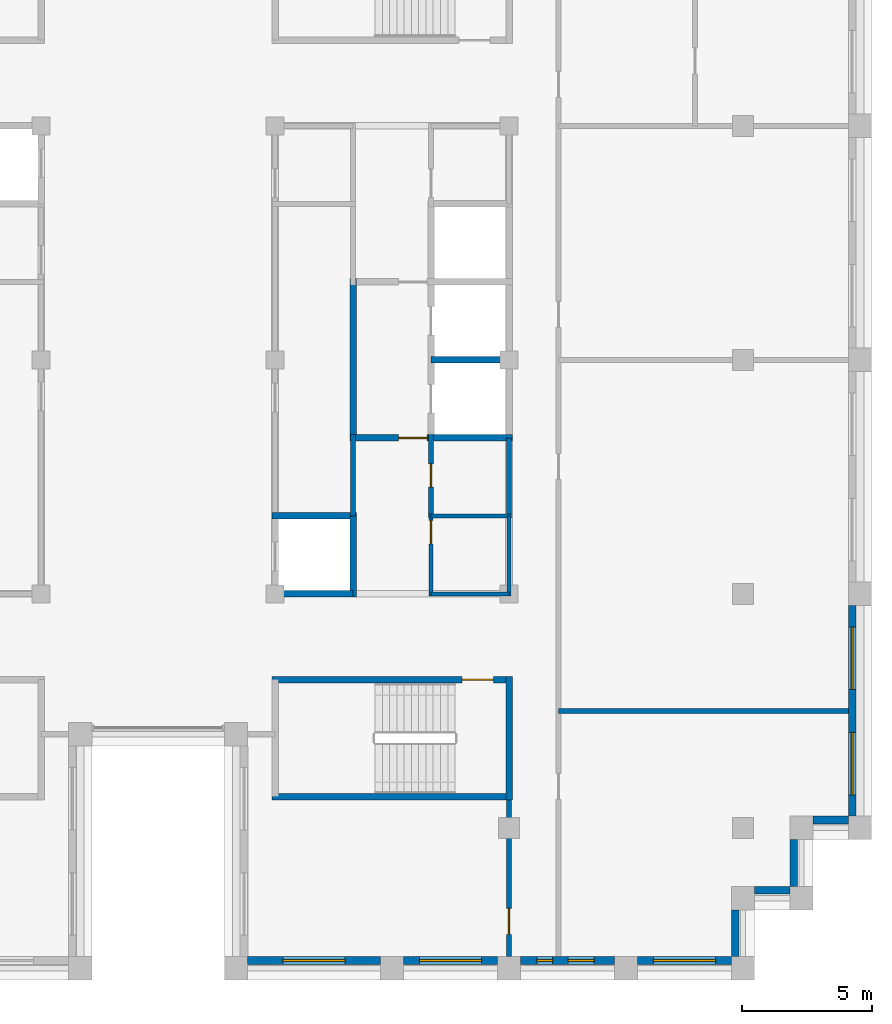
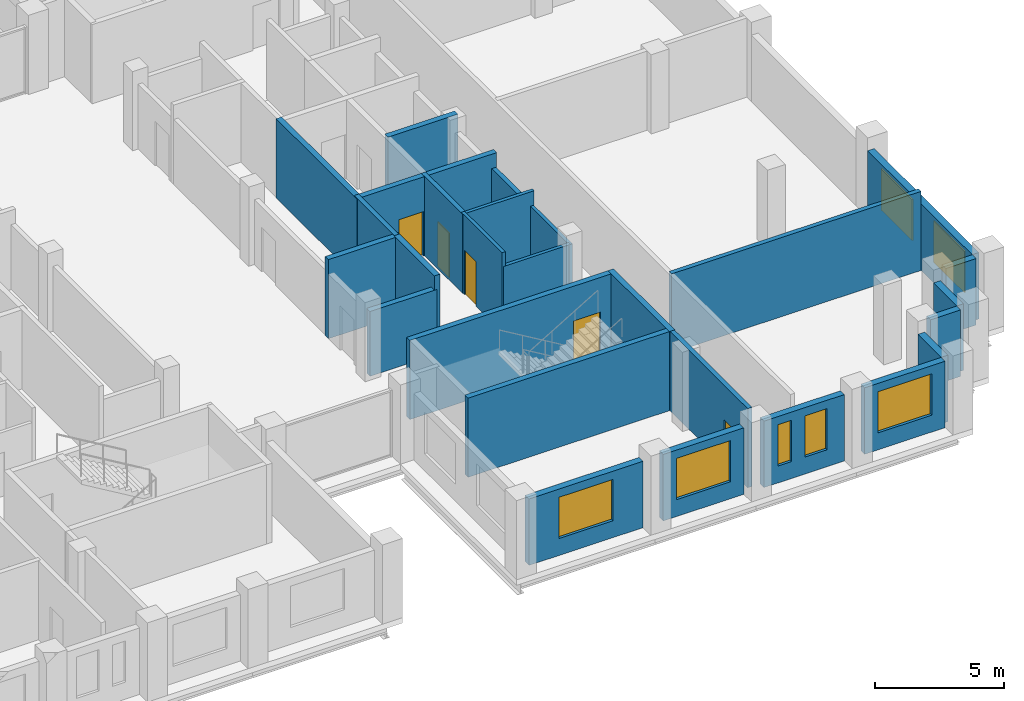
# One storey, part 8 of 13: 27 walls, 7 windows, 5 doors, 12 openings.
"""IFC4 building model written with IfcOpenShell, lengths in metres."""

from ifc_helpers import new_model, si_unit, direction, frame, frame_2d, origin, place, context, subcontext, project, spatial, rectangle, extrude, material, layer, layer_set, type_object, element, fill, save


model = new_model("IFC4")

# Units and contexts
model_context = context("Model", 3, precision=1e-05, world=origin(), true_north=direction((0.0, 1.0)))
body_context = subcontext(model_context, "Body", "Model", "MODEL_VIEW")
ifc_project = project(units=[si_unit("LENGTHUNIT", "METRE"), si_unit("AREAUNIT", "SQUARE_METRE"), si_unit("VOLUMEUNIT", "CUBIC_METRE"), si_unit("PLANEANGLEUNIT", "RADIAN"), si_unit("MASSUNIT", "GRAM", prefix="KILO")], contexts=[model_context])

# Site, building, storey
site_placement = place(None, origin())
site = spatial("IfcSite", under=ifc_project, at=site_placement, CompositionType="ELEMENT")
building_placement = place(site_placement, origin())
building = spatial("IfcBuilding", under=site, at=building_placement, Name="Corbelhall Arena Tower", CompositionType="ELEMENT")
storey_placement = place(building_placement, frame((0.0, 0.0, 304.0)))
storey = spatial("IfcBuildingStorey", under=building, at=storey_placement, Name="L66", CompositionType="ELEMENT", Elevation=304.0)

# Wall, opening, window
ifc_material_1 = material(Name="Precast concrete C40/50 with granite facing", Category="masonry")
ifc_layer_1 = layer(ifc_material_1, 0.300048828125)
ifc_layer_set_1 = layer_set([ifc_layer_1], Name="EV-IW1 Infill panel 300")
wall_type_1 = type_object("IfcWallType", Name="EV-IW1 Infill panel 300", PredefinedType="SOLIDWALL", material=ifc_layer_set_1)
wall_1_placement = place(storey_placement, frame((3.449951171875, -23.10009765625, 0.0), z_axis=(0.0, 0.0, 1.0), x_axis=(1.0, 0.0, 0.0)))
wall_1 = element("IfcWall", 1, at=wall_1_placement, inside=storey, type_object=wall_type_1, Name="Infill panel IW1", PredefinedType="SOLIDWALL", context=body_context, shape_type="SweptSolid", body=[
    extrude(rectangle(XDim=5.10009765625, YDim=0.300048828125, at=frame_2d((2.550048828125, 0.0))), origin(), (0.0, 0.0, 1.0), 3.139892578125),
])
opening_1_placement = place(wall_1_placement, frame((1.35009765625, 0.0, 0.800048828125)))
opening_1 = element("IfcOpeningElement", 2, at=opening_1_placement, cuts=wall_1, Name="Opening WN1", PredefinedType="OPENING", context=body_context, shape_type="SweptSolid", body=[
    extrude(rectangle(XDim=2.39990234375, YDim=1.949951171875, at=frame_2d((1.199951171875, 0.97509765625))), frame((0.0, 0.14990234375, 0.0), z_axis=(0.0, -1.0, 0.0), x_axis=(1.0, 0.0, 0.0)), (0.0, 0.0, 1.0), 0.300048828125),
])
ifc_material_2 = material(Name="Aluminium black anodised", Category="aluminium")
window_type_1 = type_object("IfcWindowType", Name="EV-WN1 Office window", PartitioningType="SINGLE_PANEL", PredefinedType="WINDOW", material=ifc_material_2)
window_1_placement = place(opening_1_placement, origin())
window_1 = element("IfcWindow", 3, at=window_1_placement, inside=storey, type_object=window_type_1, Name="Window WN1", OverallHeight=1.949951171875, OverallWidth=2.39990234375, PartitioningType="SINGLE_PANEL", PredefinedType="WINDOW", context=body_context, shape_type="SweptSolid", body=[
    extrude(rectangle(XDim=2.39990234375, YDim=1.949951171875, at=frame_2d((1.199951171875, 0.97509765625))), frame((0.0, 0.030029296875, 0.0), z_axis=(0.0, -1.0, 0.0), x_axis=(1.0, 0.0, 0.0)), (0.0, 0.0, 1.0), 0.06005859375),
])
fill(opening_1, window_1)

wall_2_placement = place(storey_placement, frame((9.449951171875, -23.10009765625, 0.0), z_axis=(0.0, 0.0, 1.0), x_axis=(1.0, 0.0, 0.0)))
wall_2 = element("IfcWall", 4, at=wall_2_placement, inside=storey, type_object=wall_type_1, Name="Infill panel IW1", PredefinedType="SOLIDWALL", context=body_context, shape_type="SweptSolid", body=[
    extrude(rectangle(XDim=3.60009765625, YDim=0.300048828125, at=frame_2d((1.800048828125, 0.0))), origin(), (0.0, 0.0, 1.0), 3.139892578125),
])
opening_2_placement = place(wall_2_placement, frame((0.60009765625, 0.0, 0.800048828125)))
opening_2 = element("IfcOpeningElement", 5, at=opening_2_placement, cuts=wall_2, Name="Opening WN1", PredefinedType="OPENING", context=body_context, shape_type="SweptSolid", body=[
    extrude(rectangle(XDim=2.39990234375, YDim=1.949951171875, at=frame_2d((1.199951171875, 0.97509765625))), frame((0.0, 0.14990234375, 0.0), z_axis=(0.0, -1.0, 0.0), x_axis=(1.0, 0.0, 0.0)), (0.0, 0.0, 1.0), 0.300048828125),
])
window_2_placement = place(opening_2_placement, origin())
window_2 = element("IfcWindow", 6, at=window_2_placement, inside=storey, type_object=window_type_1, Name="Window WN1", OverallHeight=1.949951171875, OverallWidth=2.39990234375, PartitioningType="SINGLE_PANEL", PredefinedType="WINDOW", context=body_context, shape_type="SweptSolid", body=[
    extrude(rectangle(XDim=2.39990234375, YDim=1.949951171875, at=frame_2d((1.199951171875, 0.97509765625))), frame((0.0, 0.030029296875, 0.0), z_axis=(0.0, -1.0, 0.0), x_axis=(1.0, 0.0, 0.0)), (0.0, 0.0, 1.0), 0.06005859375),
])
fill(opening_2, window_2)

# Wall, openings, windows
wall_3_placement = place(storey_placement, frame((13.949951171875, -23.10009765625, 0.0), z_axis=(0.0, 0.0, 1.0), x_axis=(1.0, 0.0, 0.0)))
wall_3 = element("IfcWall", 7, at=wall_3_placement, inside=storey, type_object=wall_type_1, Name="Infill panel IW1", PredefinedType="SOLIDWALL", context=body_context, shape_type="SweptSolid", body=[
    extrude(rectangle(XDim=3.60009765625, YDim=0.300048828125, at=frame_2d((1.800048828125, 0.0))), origin(), (0.0, 0.0, 1.0), 3.139892578125),
])
opening_3_placement = place(wall_3_placement, frame((0.625, 0.0, 0.800048828125)))
opening_3 = element("IfcOpeningElement", 8, at=opening_3_placement, cuts=wall_3, Name="Opening WN5", PredefinedType="OPENING", context=body_context, shape_type="SweptSolid", body=[
    extrude(rectangle(XDim=0.60009765625, YDim=1.949951171875, at=frame_2d((0.300048828125, 0.97509765625))), frame((0.0, 0.14990234375, 0.0), z_axis=(0.0, -1.0, 0.0), x_axis=(1.0, 0.0, 0.0)), (0.0, 0.0, 1.0), 0.300048828125),
])
opening_4_placement = place(wall_3_placement, frame((1.824951171875, 0.0, 0.800048828125)))
opening_4 = element("IfcOpeningElement", 9, at=opening_4_placement, cuts=wall_3, Name="Opening WN6", PredefinedType="OPENING", context=body_context, shape_type="SweptSolid", body=[
    extrude(rectangle(XDim=1.0, YDim=1.949951171875, at=frame_2d((0.5, 0.97509765625))), frame((0.0, 0.14990234375, 0.0), z_axis=(0.0, -1.0, 0.0), x_axis=(1.0, 0.0, 0.0)), (0.0, 0.0, 1.0), 0.300048828125),
])
window_type_2 = type_object("IfcWindowType", Name="EV-WN5 Office window 600", PartitioningType="SINGLE_PANEL", PredefinedType="WINDOW", material=ifc_material_2)
window_3_placement = place(opening_3_placement, origin())
window_3 = element("IfcWindow", 10, at=window_3_placement, inside=storey, type_object=window_type_2, Name="Window WN5", OverallHeight=1.949951171875, OverallWidth=0.60009765625, PartitioningType="SINGLE_PANEL", PredefinedType="WINDOW", context=body_context, shape_type="SweptSolid", body=[
    extrude(rectangle(XDim=0.60009765625, YDim=1.949951171875, at=frame_2d((0.300048828125, 0.97509765625))), frame((0.0, 0.030029296875, 0.0), z_axis=(0.0, -1.0, 0.0), x_axis=(1.0, 0.0, 0.0)), (0.0, 0.0, 1.0), 0.06005859375),
])
fill(opening_3, window_3)
window_type_3 = type_object("IfcWindowType", Name="EV-WN6 Office window 1000", PartitioningType="SINGLE_PANEL", PredefinedType="WINDOW", material=ifc_material_2)
window_4_placement = place(opening_4_placement, origin())
window_4 = element("IfcWindow", 11, at=window_4_placement, inside=storey, type_object=window_type_3, Name="Window WN6", OverallHeight=1.949951171875, OverallWidth=1.0, PartitioningType="SINGLE_PANEL", PredefinedType="WINDOW", context=body_context, shape_type="SweptSolid", body=[
    extrude(rectangle(XDim=1.0, YDim=1.949951171875, at=frame_2d((0.5, 0.97509765625))), frame((0.0, 0.030029296875, 0.0), z_axis=(0.0, -1.0, 0.0), x_axis=(1.0, 0.0, 0.0)), (0.0, 0.0, 1.0), 0.06005859375),
])
fill(opening_4, window_4)

# Wall, opening, window
wall_4_placement = place(storey_placement, frame((18.449951171875, -23.10009765625, 0.0), z_axis=(0.0, 0.0, 1.0), x_axis=(1.0, 0.0, 0.0)))
wall_4 = element("IfcWall", 12, at=wall_4_placement, inside=storey, type_object=wall_type_1, Name="Infill panel IW1", PredefinedType="SOLIDWALL", context=body_context, shape_type="SweptSolid", body=[
    extrude(rectangle(XDim=3.60009765625, YDim=0.300048828125, at=frame_2d((1.800048828125, 0.0))), origin(), (0.0, 0.0, 1.0), 3.139892578125),
])
opening_5_placement = place(wall_4_placement, frame((0.60009765625, 0.0, 0.800048828125)))
opening_5 = element("IfcOpeningElement", 13, at=opening_5_placement, cuts=wall_4, Name="Opening WN1", PredefinedType="OPENING", context=body_context, shape_type="SweptSolid", body=[
    extrude(rectangle(XDim=2.39990234375, YDim=1.949951171875, at=frame_2d((1.199951171875, 0.97509765625))), frame((0.0, 0.14990234375, 0.0), z_axis=(0.0, -1.0, 0.0), x_axis=(1.0, 0.0, 0.0)), (0.0, 0.0, 1.0), 0.300048828125),
])
window_5_placement = place(opening_5_placement, origin())
window_5 = element("IfcWindow", 14, at=window_5_placement, inside=storey, type_object=window_type_1, Name="Window WN1", OverallHeight=1.949951171875, OverallWidth=2.39990234375, PartitioningType="SINGLE_PANEL", PredefinedType="WINDOW", context=body_context, shape_type="SweptSolid", body=[
    extrude(rectangle(XDim=2.39990234375, YDim=1.949951171875, at=frame_2d((1.199951171875, 0.97509765625))), frame((0.0, 0.030029296875, 0.0), z_axis=(0.0, -1.0, 0.0), x_axis=(1.0, 0.0, 0.0)), (0.0, 0.0, 1.0), 0.06005859375),
])
fill(opening_5, window_5)

# Walls
wall_5_placement = place(storey_placement, frame((22.199951171875, -22.949951171875, 0.0), z_axis=(0.0, 0.0, 1.0), x_axis=(0.0, 1.0, 0.0)))
element("IfcWall", 15, at=wall_5_placement, inside=storey, type_object=wall_type_1, Name="Infill panel IW1", PredefinedType="SOLIDWALL", context=body_context, shape_type="SweptSolid", body=[
    extrude(rectangle(XDim=1.800048828125, YDim=0.300048828125, at=frame_2d((0.89990234375, 0.0))), origin(), (0.0, 0.0, 1.0), 3.139892578125),
])
wall_6_placement = place(storey_placement, frame((22.949951171875, -20.39990234375, 0.0), z_axis=(0.0, 0.0, 1.0), x_axis=(1.0, 0.0, 0.0)))
element("IfcWall", 16, at=wall_6_placement, inside=storey, type_object=wall_type_1, Name="Infill panel IW1", PredefinedType="SOLIDWALL", context=body_context, shape_type="SweptSolid", body=[
    extrude(rectangle(XDim=1.35009765625, YDim=0.300048828125, at=frame_2d((0.675048828125, 0.0))), origin(), (0.0, 0.0, 1.0), 3.139892578125),
])
wall_7_placement = place(storey_placement, frame((24.449951171875, -20.25, 0.0), z_axis=(0.0, 0.0, 1.0), x_axis=(0.0, 1.0, 0.0)))
element("IfcWall", 17, at=wall_7_placement, inside=storey, type_object=wall_type_1, Name="Infill panel IW1", PredefinedType="SOLIDWALL", context=body_context, shape_type="SweptSolid", body=[
    extrude(rectangle(XDim=1.800048828125, YDim=0.300048828125, at=frame_2d((0.89990234375, 0.0))), origin(), (0.0, 0.0, 1.0), 3.139892578125),
])
wall_8_placement = place(storey_placement, frame((25.199951171875, -17.699951171875, 0.0), z_axis=(0.0, 0.0, 1.0), x_axis=(1.0, 0.0, 0.0)))
element("IfcWall", 18, at=wall_8_placement, inside=storey, type_object=wall_type_1, Name="Infill panel IW1", PredefinedType="SOLIDWALL", context=body_context, shape_type="SweptSolid", body=[
    extrude(rectangle(XDim=1.35009765625, YDim=0.300048828125, at=frame_2d((0.675048828125, 0.0))), origin(), (0.0, 0.0, 1.0), 3.139892578125),
])

# Wall, openings, windows
wall_9_placement = place(storey_placement, frame((26.699951171875, -17.550048828125, 0.0), z_axis=(0.0, 0.0, 1.0), x_axis=(0.0, 1.0, 0.0)))
wall_9 = element("IfcWall", 19, at=wall_9_placement, inside=storey, type_object=wall_type_1, Name="Infill panel IW1", PredefinedType="SOLIDWALL", context=body_context, shape_type="SweptSolid", body=[
    extrude(rectangle(XDim=8.10009765625, YDim=0.300048828125, at=frame_2d((4.050048828125, 0.0))), origin(), (0.0, 0.0, 1.0), 3.139892578125),
])
opening_6_placement = place(wall_9_placement, frame((0.824951171875, 0.0, 0.800048828125)))
opening_6 = element("IfcOpeningElement", 20, at=opening_6_placement, cuts=wall_9, Name="Opening WN1", PredefinedType="OPENING", context=body_context, shape_type="SweptSolid", body=[
    extrude(rectangle(XDim=2.39990234375, YDim=1.949951171875, at=frame_2d((1.199951171875, 0.97509765625))), frame((0.0, 0.14990234375, 0.0), z_axis=(0.0, -1.0, 0.0), x_axis=(1.0, 0.0, 0.0)), (0.0, 0.0, 1.0), 0.300048828125),
])
opening_7_placement = place(wall_9_placement, frame((4.875, 0.0, 0.800048828125)))
opening_7 = element("IfcOpeningElement", 21, at=opening_7_placement, cuts=wall_9, Name="Opening WN1", PredefinedType="OPENING", context=body_context, shape_type="SweptSolid", body=[
    extrude(rectangle(XDim=2.39990234375, YDim=1.949951171875, at=frame_2d((1.199951171875, 0.97509765625))), frame((0.0, 0.14990234375, 0.0), z_axis=(0.0, -1.0, 0.0), x_axis=(1.0, 0.0, 0.0)), (0.0, 0.0, 1.0), 0.300048828125),
])
window_6_placement = place(opening_6_placement, origin())
window_6 = element("IfcWindow", 22, at=window_6_placement, inside=storey, type_object=window_type_1, Name="Window WN1", OverallHeight=1.949951171875, OverallWidth=2.39990234375, PartitioningType="SINGLE_PANEL", PredefinedType="WINDOW", context=body_context, shape_type="SweptSolid", body=[
    extrude(rectangle(XDim=2.39990234375, YDim=1.949951171875, at=frame_2d((1.199951171875, 0.97509765625))), frame((0.0, 0.030029296875, 0.0), z_axis=(0.0, -1.0, 0.0), x_axis=(1.0, 0.0, 0.0)), (0.0, 0.0, 1.0), 0.06005859375),
])
fill(opening_6, window_6)
window_7_placement = place(opening_7_placement, origin())
window_7 = element("IfcWindow", 23, at=window_7_placement, inside=storey, type_object=window_type_1, Name="Window WN1", OverallHeight=1.949951171875, OverallWidth=2.39990234375, PartitioningType="SINGLE_PANEL", PredefinedType="WINDOW", context=body_context, shape_type="SweptSolid", body=[
    extrude(rectangle(XDim=2.39990234375, YDim=1.949951171875, at=frame_2d((1.199951171875, 0.97509765625))), frame((0.0, 0.030029296875, 0.0), z_axis=(0.0, -1.0, 0.0), x_axis=(1.0, 0.0, 0.0)), (0.0, 0.0, 1.0), 0.06005859375),
])
fill(opening_7, window_7)

# Wall, opening, door
ifc_material_3 = material(Name="Gypsum board on steel stud, acoustic", Category="steel")
ifc_layer_2 = layer(ifc_material_3, 0.199951171875)
ifc_layer_set_2 = layer_set([ifc_layer_2], Name="IN-W-DM200")
wall_type_2 = type_object("IfcWallType", Name="IN-W-DM200", PredefinedType="PARTITIONING", material=ifc_layer_set_2)
wall_10_placement = place(storey_placement, frame((13.5, -22.949951171875, 0.0), z_axis=(0.0, 0.0, 1.0), x_axis=(0.0, 1.0, 0.0)))
wall_10 = element("IfcWall", 24, at=wall_10_placement, inside=storey, type_object=wall_type_2, Name="Partition 018", PredefinedType="PARTITIONING", context=body_context, shape_type="SweptSolid", body=[
    extrude(rectangle(XDim=6.27490234375, YDim=0.199951171875, at=frame_2d((3.137451171875, 0.0))), origin(), (0.0, 0.0, 1.0), 3.739990234375),
])
opening_8_placement = place(wall_10_placement, frame((0.85009765625, 0.0, 0.0)))
opening_8 = element("IfcOpeningElement", 25, at=opening_8_placement, cuts=wall_10, Name="Opening 21020", PredefinedType="OPENING", context=body_context, shape_type="SweptSolid", body=[
    extrude(rectangle(XDim=1.0, YDim=2.10009765625, at=frame_2d((0.5, 1.050048828125))), frame((0.0, 0.10009765625, 0.0), z_axis=(0.0, -1.0, 0.0), x_axis=(1.0, 0.0, 0.0)), (0.0, 0.0, 1.0), 0.199951171875),
])
ifc_material_4 = material(Name="Steel door set", Category="steel")
door_type_1 = type_object("IfcDoorType", Name="IN-D-SW100", OperationType="NOTDEFINED", PredefinedType="DOOR", material=ifc_material_4)
door_1_placement = place(opening_8_placement, origin())
door_1 = element("IfcDoor", 26, at=door_1_placement, inside=storey, type_object=door_type_1, Name="Door 020", OperationType="SINGLE_SWING_LEFT", OverallHeight=2.10009765625, OverallWidth=1.0, PredefinedType="DOOR", context=body_context, shape_type="SweptSolid", body=[
    extrude(rectangle(XDim=1.0, YDim=2.10009765625, at=frame_2d((0.5, 1.050048828125))), frame((0.0, 0.02490234375, 0.0), z_axis=(0.0, -1.0, 0.0), x_axis=(1.0, 0.0, 0.0)), (0.0, 0.0, 1.0), 0.050048828125),
])
fill(opening_8, door_1)

# Walls
wall_11_placement = place(storey_placement, frame((15.39990234375, -13.5, 0.0), z_axis=(0.0, 0.0, 1.0), x_axis=(1.0, 0.0, 0.0)))
element("IfcWall", 27, at=wall_11_placement, inside=storey, type_object=wall_type_2, Name="Partition 020", PredefinedType="PARTITIONING", context=body_context, shape_type="SweptSolid", body=[
    extrude(rectangle(XDim=11.150146484375, YDim=0.199951171875, at=frame_2d((5.5751953125, 0.0))), origin(), (0.0, 0.0, 1.0), 3.739990234375),
])
ifc_material_5 = material(Name="Concrete block wall", Category="concrete")
ifc_layer_3 = layer(ifc_material_5, 0.199951171875)
ifc_layer_set_3 = layer_set([ifc_layer_3], Name="IN-W-RS200")
wall_type_3 = type_object("IfcWallType", Name="IN-W-RS200", PredefinedType="SOLIDWALL", material=ifc_layer_set_3)
wall_12_placement = place(storey_placement, frame((7.5, -2.875, 0.0), z_axis=(0.0, 0.0, 1.0), x_axis=(0.0, -1.0, 0.0)))
element("IfcWall", 28, at=wall_12_placement, inside=storey, type_object=wall_type_3, Name="Partition 037", PredefinedType="SOLIDWALL", context=body_context, shape_type="SweptSolid", body=[
    extrude(rectangle(XDim=3.125, YDim=0.199951171875, at=frame_2d((1.5625, 0.0))), origin(), (0.0, 0.0, 1.0), 3.739990234375),
])

# Wall, opening, door
wall_13_placement = place(storey_placement, frame((10.5, -2.875, 0.0), z_axis=(0.0, 0.0, 1.0), x_axis=(0.0, -1.0, 0.0)))
wall_13 = element("IfcWall", 29, at=wall_13_placement, inside=storey, type_object=wall_type_3, Name="Partition 039", PredefinedType="SOLIDWALL", context=body_context, shape_type="SweptSolid", body=[
    extrude(rectangle(XDim=3.199951171875, YDim=0.199951171875, at=frame_2d((1.60009765625, 0.0))), origin(), (0.0, 0.0, 1.0), 3.739990234375),
])
opening_9_placement = place(wall_13_placement, frame((1.1201171875, 0.0, 0.0)))
opening_9 = element("IfcOpeningElement", 30, at=opening_9_placement, cuts=wall_13, Name="Opening 21036", PredefinedType="OPENING", context=body_context, shape_type="SweptSolid", body=[
    extrude(rectangle(XDim=0.89990234375, YDim=2.10009765625, at=frame_2d((0.449951171875, 1.050048828125))), frame((0.0, 0.10009765625, 0.0), z_axis=(0.0, -1.0, 0.0), x_axis=(1.0, 0.0, 0.0)), (0.0, 0.0, 1.0), 0.199951171875),
])
ifc_material_6 = material(Name="Timber door set", Category="wood")
door_type_2 = type_object("IfcDoorType", Name="IN-D-SW90", OperationType="NOTDEFINED", PredefinedType="DOOR", material=ifc_material_6)
door_2_placement = place(opening_9_placement, origin())
door_2 = element("IfcDoor", 31, at=door_2_placement, inside=storey, type_object=door_type_2, Name="Door 036", OperationType="SINGLE_SWING_LEFT", OverallHeight=2.10009765625, OverallWidth=0.89990234375, PredefinedType="DOOR", context=body_context, shape_type="SweptSolid", body=[
    extrude(rectangle(XDim=0.89990234375, YDim=2.10009765625, at=frame_2d((0.449951171875, 1.050048828125))), frame((0.0, 0.02490234375, 0.0), z_axis=(0.0, -1.0, 0.0), x_axis=(1.0, 0.0, 0.0)), (0.0, 0.0, 1.0), 0.050048828125),
])
fill(opening_9, door_2)

# Walls
ifc_layer_4 = layer(ifc_material_5, 0.199951171875)
ifc_layer_set_4 = layer_set([ifc_layer_4], Name="IN-W-RS200 under beam 678 mm")
wall_type_4 = type_object("IfcWallType", Name="IN-W-RS200 under beam 678 mm", PredefinedType="SOLIDWALL", material=ifc_layer_set_4)
wall_14_placement = place(storey_placement, frame((13.5, -3.0, 0.0), z_axis=(0.0, 0.0, 1.0), x_axis=(0.0, -1.0, 0.0)))
element("IfcWall", 32, at=wall_14_placement, inside=storey, type_object=wall_type_4, Name="Partition 042", PredefinedType="SOLIDWALL", context=body_context, shape_type="SweptSolid", body=[
    extrude(rectangle(XDim=3.0, YDim=0.199951171875, at=frame_2d((1.5, 0.0))), origin(), (0.0, 0.0, 1.0), 3.061767578125),
])
ifc_material_7 = material(Name="Concrete C40/50", Category="concrete")
ifc_layer_5 = layer(ifc_material_7, 0.25)
ifc_layer_set_5 = layer_set([ifc_layer_5], Name="IN-W-SH250")
wall_type_5 = type_object("IfcWallType", Name="IN-W-SH250", PredefinedType="SOLIDWALL", material=ifc_layer_set_5)
wall_15_placement = place(storey_placement, frame((4.375, -6.0, 0.0), z_axis=(0.0, 0.0, 1.0), x_axis=(1.0, 0.0, 0.0)))
element("IfcWall", 33, at=wall_15_placement, inside=storey, type_object=wall_type_5, Name="Shaft wall 054", PredefinedType="SOLIDWALL", context=body_context, shape_type="SweptSolid", body=[
    extrude(rectangle(XDim=3.25, YDim=0.25, at=frame_2d((1.625, 0.0))), origin(), (0.0, 0.0, 1.0), 3.739990234375),
])
wall_16_placement = place(storey_placement, frame((7.5, -6.0, 0.0), z_axis=(0.0, 0.0, 1.0), x_axis=(0.0, -1.0, 0.0)))
element("IfcWall", 34, at=wall_16_placement, inside=storey, type_object=wall_type_5, Name="Shaft wall 057", PredefinedType="SOLIDWALL", context=body_context, shape_type="SweptSolid", body=[
    extrude(rectangle(XDim=3.125, YDim=0.25, at=frame_2d((1.5625, 0.0))), origin(), (0.0, 0.0, 1.0), 3.739990234375),
])

# Wall, opening, door
wall_17_placement = place(storey_placement, frame((7.5, -3.0, 0.0), z_axis=(0.0, 0.0, 1.0), x_axis=(1.0, 0.0, 0.0)))
wall_17 = element("IfcWall", 35, at=wall_17_placement, inside=storey, type_object=wall_type_5, Name="Shaft wall 058", PredefinedType="SOLIDWALL", context=body_context, shape_type="SweptSolid", body=[
    extrude(rectangle(XDim=6.125, YDim=0.25, at=frame_2d((3.0625, 0.0))), origin(), (0.0, 0.0, 1.0), 3.739990234375),
])
opening_10_placement = place(wall_17_placement, frame((1.75, 0.0, 0.0)))
opening_10 = element("IfcOpeningElement", 36, at=opening_10_placement, cuts=wall_17, Name="Opening 21010", PredefinedType="OPENING", context=body_context, shape_type="SweptSolid", body=[
    extrude(rectangle(XDim=1.10009765625, YDim=2.10009765625, at=frame_2d((0.550048828125, 1.050048828125))), frame((0.0, 0.125, 0.0), z_axis=(0.0, -1.0, 0.0), x_axis=(1.0, 0.0, 0.0)), (0.0, 0.0, 1.0), 0.25),
])
door_type_3 = type_object("IfcDoorType", Name="IN-D-FD110", OperationType="NOTDEFINED", PredefinedType="DOOR", material=ifc_material_4)
door_3_placement = place(opening_10_placement, origin())
door_3 = element("IfcDoor", 37, at=door_3_placement, inside=storey, type_object=door_type_3, Name="Door 010", OperationType="SINGLE_SWING_LEFT", OverallHeight=2.10009765625, OverallWidth=1.10009765625, PredefinedType="DOOR", context=body_context, shape_type="SweptSolid", body=[
    extrude(rectangle(XDim=1.10009765625, YDim=2.10009765625, at=frame_2d((0.550048828125, 1.050048828125))), frame((0.0, 0.02490234375, 0.0), z_axis=(0.0, -1.0, 0.0), x_axis=(1.0, 0.0, 0.0)), (0.0, 0.0, 1.0), 0.050048828125),
])
fill(opening_10, door_3)

# Walls
wall_18_placement = place(storey_placement, frame((7.5, 3.125, 0.0), z_axis=(0.0, 0.0, 1.0), x_axis=(0.0, -1.0, 0.0)))
element("IfcWall", 38, at=wall_18_placement, inside=storey, type_object=wall_type_5, Name="Shaft wall 060", PredefinedType="SOLIDWALL", context=body_context, shape_type="SweptSolid", body=[
    extrude(rectangle(XDim=6.25, YDim=0.25, at=frame_2d((3.125, 0.0))), origin(), (0.0, 0.0, 1.0), 3.739990234375),
])
wall_19_placement = place(storey_placement, frame((10.5, 0.0, 0.0), z_axis=(0.0, 0.0, 1.0), x_axis=(1.0, 0.0, 0.0)))
element("IfcWall", 39, at=wall_19_placement, inside=storey, type_object=wall_type_5, Name="Shaft wall 061", PredefinedType="SOLIDWALL", context=body_context, shape_type="SweptSolid", body=[
    extrude(rectangle(XDim=3.125, YDim=0.25, at=frame_2d((1.5625, 0.0))), origin(), (0.0, 0.0, 1.0), 3.739990234375),
])
ifc_layer_6 = layer(ifc_material_7, 0.25)
ifc_layer_set_6 = layer_set([ifc_layer_6], Name="IN-W-SH250 under beam 678 mm")
wall_type_6 = type_object("IfcWallType", Name="IN-W-SH250 under beam 678 mm", PredefinedType="SOLIDWALL", material=ifc_layer_set_6)
wall_20_placement = place(storey_placement, frame((7.5, -9.0, 0.0), z_axis=(0.0, 0.0, 1.0), x_axis=(-1.0, 0.0, 0.0)))
element("IfcWall", 40, at=wall_20_placement, inside=storey, type_object=wall_type_6, Name="Shaft wall 056", PredefinedType="SOLIDWALL", context=body_context, shape_type="SweptSolid", body=[
    extrude(rectangle(XDim=3.0, YDim=0.25, at=frame_2d((1.5, 0.0))), origin(), (0.0, 0.0, 1.0), 3.061767578125),
])
ifc_layer_7 = layer(ifc_material_7, 0.25)
ifc_layer_set_7 = layer_set([ifc_layer_7], Name="IN-W-ST250")
wall_type_7 = type_object("IfcWallType", Name="IN-W-ST250", PredefinedType="SOLIDWALL", material=ifc_layer_set_7)
wall_21_placement = place(storey_placement, frame((13.5, -16.925048828125, 0.0), z_axis=(0.0, 0.0, 1.0), x_axis=(0.0, 1.0, 0.0)))
element("IfcWall", 41, at=wall_21_placement, inside=storey, type_object=wall_type_7, Name="Shaft wall 077", PredefinedType="SOLIDWALL", context=body_context, shape_type="SweptSolid", body=[
    extrude(rectangle(XDim=4.75, YDim=0.25, at=frame_2d((2.375, 0.0))), origin(), (0.0, 0.0, 1.0), 3.739990234375),
])
wall_22_placement = place(storey_placement, frame((13.5, -16.800048828125, 0.0), z_axis=(0.0, 0.0, 1.0), x_axis=(-1.0, 0.0, 0.0)))
element("IfcWall", 42, at=wall_22_placement, inside=storey, type_object=wall_type_7, Name="Shaft wall 078", PredefinedType="SOLIDWALL", context=body_context, shape_type="SweptSolid", body=[
    extrude(rectangle(XDim=9.125, YDim=0.25, at=frame_2d((4.5625, 0.0))), origin(), (0.0, 0.0, 1.0), 3.739990234375),
])

# Wall, opening, door
wall_23_placement = place(storey_placement, frame((13.5, -12.300048828125, 0.0), z_axis=(0.0, 0.0, 1.0), x_axis=(-1.0, 0.0, 0.0)))
wall_23 = element("IfcWall", 43, at=wall_23_placement, inside=storey, type_object=wall_type_7, Name="Shaft wall 079", PredefinedType="SOLIDWALL", context=body_context, shape_type="SweptSolid", body=[
    extrude(rectangle(XDim=9.125, YDim=0.25, at=frame_2d((4.5625, 0.0))), origin(), (0.0, 0.0, 1.0), 3.739990234375),
])
opening_11_placement = place(wall_23_placement, frame((0.60009765625, 0.0, 0.0)))
opening_11 = element("IfcOpeningElement", 44, at=opening_11_placement, cuts=wall_23, Name="Opening 21017", PredefinedType="OPENING", context=body_context, shape_type="SweptSolid", body=[
    extrude(rectangle(XDim=1.199951171875, YDim=2.10009765625, at=frame_2d((0.60009765625, 1.050048828125))), frame((0.0, 0.125, 0.0), z_axis=(0.0, -1.0, 0.0), x_axis=(1.0, 0.0, 0.0)), (0.0, 0.0, 1.0), 0.25),
])
door_type_4 = type_object("IfcDoorType", Name="IN-D-ST120", OperationType="NOTDEFINED", PredefinedType="DOOR", material=ifc_material_4)
door_4_placement = place(opening_11_placement, origin())
door_4 = element("IfcDoor", 45, at=door_4_placement, inside=storey, type_object=door_type_4, Name="Door 017", OperationType="SINGLE_SWING_RIGHT", OverallHeight=2.10009765625, OverallWidth=1.199951171875, PredefinedType="DOOR", context=body_context, shape_type="SweptSolid", body=[
    extrude(rectangle(XDim=1.199951171875, YDim=2.10009765625, at=frame_2d((0.60009765625, 1.050048828125))), frame((0.0, 0.02490234375, 0.0), z_axis=(0.0, -1.0, 0.0), x_axis=(1.0, 0.0, 0.0)), (0.0, 0.0, 1.0), 0.050048828125),
])
fill(opening_11, door_4)

# Wall
ifc_material_8 = material(Name="Gypsum board on steel stud, moisture resistant", Category="steel")
ifc_layer_8 = layer(ifc_material_8, 0.14990234375)
ifc_layer_set_8 = layer_set([ifc_layer_8], Name="IN-W-WC150")
wall_type_8 = type_object("IfcWallType", Name="IN-W-WC150", PredefinedType="PARTITIONING", material=ifc_layer_set_8)
wall_24_placement = place(storey_placement, frame((10.5, -6.0, 0.0), z_axis=(0.0, 0.0, 1.0), x_axis=(1.0, 0.0, 0.0)))
element("IfcWall", 46, at=wall_24_placement, inside=storey, type_object=wall_type_8, Name="Partition 088", PredefinedType="PARTITIONING", context=body_context, shape_type="SweptSolid", body=[
    extrude(rectangle(XDim=3.10009765625, YDim=0.14990234375, at=frame_2d((1.550048828125, 0.0))), origin(), (0.0, 0.0, 1.0), 3.739990234375),
])

# Wall, opening, door
wall_25_placement = place(storey_placement, frame((10.5, -5.925048828125, 0.0), z_axis=(0.0, 0.0, 1.0), x_axis=(0.0, -1.0, 0.0)))
wall_25 = element("IfcWall", 47, at=wall_25_placement, inside=storey, type_object=wall_type_8, Name="Partition 089", PredefinedType="PARTITIONING", context=body_context, shape_type="SweptSolid", body=[
    extrude(rectangle(XDim=3.14990234375, YDim=0.14990234375, at=frame_2d((1.574951171875, 0.0))), origin(), (0.0, 0.0, 1.0), 3.739990234375),
])
opening_12_placement = place(wall_25_placement, frame((0.25, 0.0, 0.0)))
opening_12 = element("IfcOpeningElement", 48, at=opening_12_placement, cuts=wall_25, Name="Opening 21012", PredefinedType="OPENING", context=body_context, shape_type="SweptSolid", body=[
    extrude(rectangle(XDim=0.89990234375, YDim=2.10009765625, at=frame_2d((0.449951171875, 1.050048828125))), frame((0.0, 0.074951171875, 0.0), z_axis=(0.0, -1.0, 0.0), x_axis=(1.0, 0.0, 0.0)), (0.0, 0.0, 1.0), 0.14990234375),
])
door_5_placement = place(opening_12_placement, origin())
door_5 = element("IfcDoor", 49, at=door_5_placement, inside=storey, type_object=door_type_2, Name="Door 012", OperationType="SINGLE_SWING_LEFT", OverallHeight=2.10009765625, OverallWidth=0.89990234375, PredefinedType="DOOR", context=body_context, shape_type="SweptSolid", body=[
    extrude(rectangle(XDim=0.89990234375, YDim=2.10009765625, at=frame_2d((0.449951171875, 1.050048828125))), frame((0.0, 0.02490234375, 0.0), z_axis=(0.0, -1.0, 0.0), x_axis=(1.0, 0.0, 0.0)), (0.0, 0.0, 1.0), 0.050048828125),
])
fill(opening_12, door_5)

# Walls
ifc_layer_9 = layer(ifc_material_8, 0.14990234375)
ifc_layer_set_9 = layer_set([ifc_layer_9], Name="IN-W-WC150 under beam 678 mm")
wall_type_9 = type_object("IfcWallType", Name="IN-W-WC150 under beam 678 mm", PredefinedType="PARTITIONING", material=ifc_layer_set_9)
wall_26_placement = place(storey_placement, frame((13.5, -9.0, 0.0), z_axis=(0.0, 0.0, 1.0), x_axis=(-1.0, 0.0, 0.0)))
element("IfcWall", 50, at=wall_26_placement, inside=storey, type_object=wall_type_9, Name="Partition 090", PredefinedType="PARTITIONING", context=body_context, shape_type="SweptSolid", body=[
    extrude(rectangle(XDim=3.0, YDim=0.14990234375, at=frame_2d((1.5, 0.0))), origin(), (0.0, 0.0, 1.0), 3.061767578125),
])
wall_27_placement = place(storey_placement, frame((13.5, -6.0, 0.0), z_axis=(0.0, 0.0, 1.0), x_axis=(0.0, -1.0, 0.0)))
element("IfcWall", 51, at=wall_27_placement, inside=storey, type_object=wall_type_9, Name="Partition 091", PredefinedType="PARTITIONING", context=body_context, shape_type="SweptSolid", body=[
    extrude(rectangle(XDim=3.074951171875, YDim=0.14990234375, at=frame_2d((1.53759765625, 0.0))), origin(), (0.0, 0.0, 1.0), 3.061767578125),
])

save(model, "model.ifc")
